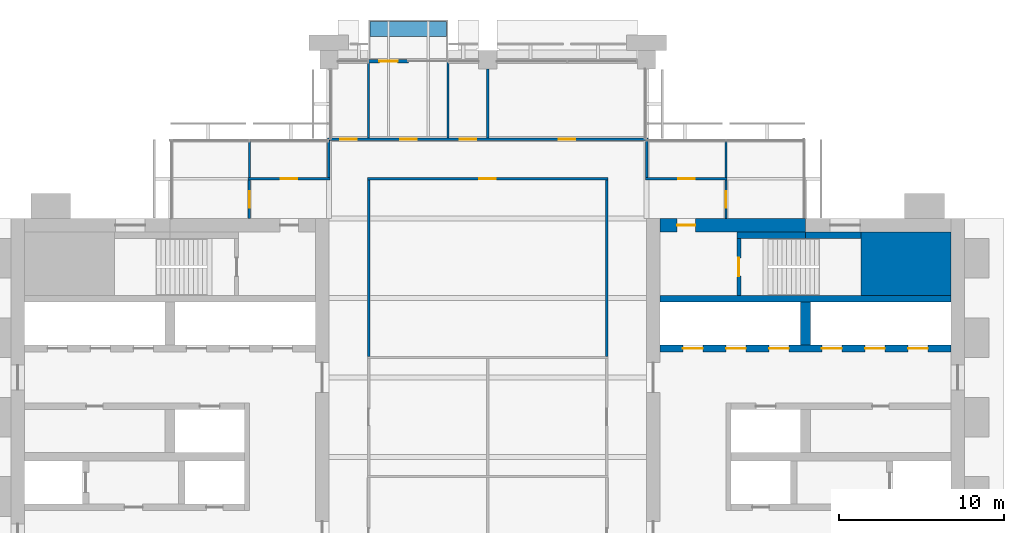
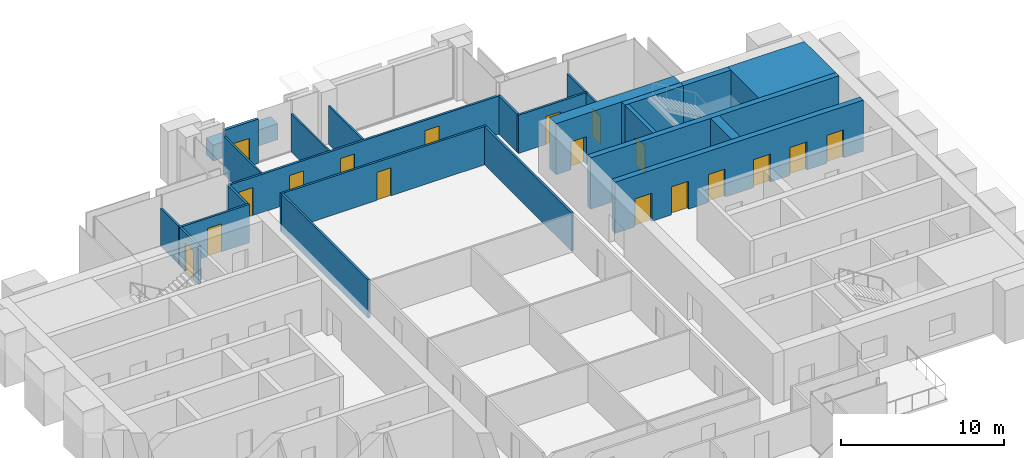
# One storey, part 11 of 14: 25 walls, 18 doors, 18 openings.
"""IFC4 building model written with IfcOpenShell, lengths in metres."""

import ifcopenshell
import ifcopenshell.guid

model = None  # the IFC model being written
_history = None  # IfcOwnerHistory: only IFC2X3 demands one
_inside = {}  # id of a spatial element -> (the spatial element, [elements in it])
_under = {}  # id of a project, library or spatial element -> (it, [spatial elements below it])
_declared = {}  # id of a project -> (the project, [libraries it declares])
_typed = {}  # id of a type object -> (the type object, [elements of that type])
_made_of = {}  # id of a material, layer set ... -> (it, [elements and type objects made of it])


def new_model(schema):
    """Start an empty IFC model of exactly this schema.

    Asked for "IFC4X3", IfcOpenShell would pick the latest addendum, in which some entities
    have other attributes; the version numbers below select the first issue.
    IFC2X3 requires an IfcOwnerHistory on every rooted entity: one is made here for all.
    """
    global model, _history
    if schema == "IFC4X3":
        model = ifcopenshell.file(schema_version=(4, 3, 0, 0))
    else:
        model = ifcopenshell.file(schema=schema)
    _inside.clear()
    _under.clear()
    _declared.clear()
    _typed.clear()
    _made_of.clear()
    _history = None
    if model.schema == "IFC2X3":
        org = make("IfcOrganization", Name="unknown")
        user = make(
            "IfcPersonAndOrganization",
            ThePerson=make("IfcPerson", FamilyName="unknown"),
            TheOrganization=org,
        )
        app = make(
            "IfcApplication",
            ApplicationDeveloper=org,
            Version="unknown",
            ApplicationFullName="unknown",
            ApplicationIdentifier="unknown",
        )
        _history = make(
            "IfcOwnerHistory",
            OwningUser=user,
            OwningApplication=app,
            ChangeAction="ADDED",
            CreationDate=0,
        )
    return model


def make(cls, **values):
    """One entity of the class cls with the attributes given. An attribute that is None is left unset."""
    return model.create_entity(
        cls, **{name: value for name, value in values.items() if value is not None}
    )


def rooted(cls, **values):
    """An entity with a GlobalId (a new one), such as an element, a storey or a relation."""
    return make(cls, GlobalId=ifcopenshell.guid.new(), OwnerHistory=_history, **values)


def si_unit(unit_type, name, prefix=None):
    """IfcSIUnit, for example si_unit("LENGTHUNIT", "METRE", prefix="MILLI")."""
    return make("IfcSIUnit", UnitType=unit_type, Prefix=prefix, Name=name)


def assignment(units):
    """IfcUnitAssignment: the units of a project."""
    return None if units is None else make("IfcUnitAssignment", Units=units)


def point(xyz):
    """IfcCartesianPoint."""
    return None if xyz is None else make("IfcCartesianPoint", Coordinates=xyz)


def direction(xyz):
    """IfcDirection."""
    return None if xyz is None else make("IfcDirection", DirectionRatios=xyz)


def frame(location, z_axis=None, x_axis=None):
    """IfcAxis2Placement3D, a coordinate frame: its origin and axes. An axis left out is left unset."""
    return make(
        "IfcAxis2Placement3D",
        Location=point(location),
        Axis=direction(z_axis),
        RefDirection=direction(x_axis),
    )


def frame_2d(location, x_axis=None):
    """IfcAxis2Placement2D, a coordinate frame in the plane: its origin and x axis."""
    return make(
        "IfcAxis2Placement2D", Location=point(location), RefDirection=direction(x_axis)
    )


def origin():
    """The frame at (0, 0, 0) with its axes left unset."""
    return frame((0.0, 0.0, 0.0))


def place(relative_to, where):
    """IfcLocalPlacement: puts the frame where relative to a parent placement (None: the world)."""
    return make(
        "IfcLocalPlacement", PlacementRelTo=relative_to, RelativePlacement=where
    )


def context(
    kind, dimensions, precision=None, world=None, true_north=None, identifier=None
):
    """IfcGeometricRepresentationContext, for example the 3D "Model" context."""
    return make(
        "IfcGeometricRepresentationContext",
        ContextIdentifier=identifier,
        ContextType=kind,
        CoordinateSpaceDimension=dimensions,
        Precision=precision,
        WorldCoordinateSystem=world,
        TrueNorth=true_north,
    )


def subcontext(parent, identifier, kind, view, scale=None):
    """IfcGeometricRepresentationSubContext, for example "Body" below "Model"."""
    return make(
        "IfcGeometricRepresentationSubContext",
        ContextIdentifier=identifier,
        ContextType=kind,
        ParentContext=parent,
        TargetScale=scale,
        TargetView=view,
    )


def project(units=None, contexts=None):
    """IfcProject with its units and contexts."""
    return rooted(
        "IfcProject",
        Name="project",
        RepresentationContexts=contexts,
        UnitsInContext=assignment(units),
    )


def spatial(cls, under=None, at=None, **own):
    """A site, building, storey or space (cls), placed at a placement, below another one or the project."""
    s = rooted(cls, ObjectPlacement=at, **own)
    if under is not None:
        _under.setdefault(under.id(), (under, []))[1].append(s)
    return s


def profile(cls, at=None, kind="AREA", **sizes):
    """A parametric profile (cls). Its sizes go by their IFC names, for example OverallWidth=200.0."""
    return make(cls, ProfileType=kind, Position=at, **sizes)


def rectangle(**sizes):
    """IfcRectangleProfileDef."""
    return profile("IfcRectangleProfileDef", **sizes)


def extrude(swept, where, along, depth):
    """IfcExtrudedAreaSolid: the profile swept, set in the frame where, extruded along a direction by depth."""
    return make(
        "IfcExtrudedAreaSolid",
        SweptArea=swept,
        Position=where,
        ExtrudedDirection=direction(along),
        Depth=depth,
    )


def shape(context_of_items, identifier, shape_type, items):
    """IfcShapeRepresentation: the items that make up one representation, for example the "Body"."""
    return make(
        "IfcShapeRepresentation",
        ContextOfItems=context_of_items,
        RepresentationIdentifier=identifier,
        RepresentationType=shape_type,
        Items=items,
    )


def material(Name=None, Category=None):
    """IfcMaterial."""
    return make("IfcMaterial", Name=Name, Category=Category)


def layer(
    of_material, thickness, ventilated=None, Name=None, Category=None, Priority=None
):
    """IfcMaterialLayer: one layer of a wall or slab, of a material (None: an air gap)."""
    return make(
        "IfcMaterialLayer",
        Material=of_material,
        LayerThickness=thickness,
        IsVentilated=ventilated,
        Name=Name,
        Category=Category,
        Priority=Priority,
    )


def layer_set(layers, Name=None):
    """IfcMaterialLayerSet."""
    return make("IfcMaterialLayerSet", MaterialLayers=layers, LayerSetName=Name)


def made_of(thing, what):
    """Note that an element or type object is made of a material, layer set ...; save() writes the relation."""
    if what is not None:
        _made_of.setdefault(what.id(), (what, []))[1].append(thing)
    return thing


def type_object(cls, material=None, **own):
    """A type object (cls), such as IfcWallType, which elements share."""
    return made_of(rooted(cls, **own), material)


def element(
    cls,
    number,
    at=None,
    inside=None,
    cuts=None,
    type_object=None,
    material=None,
    context=None,
    identifier="Body",
    shape_type=None,
    held_by="IfcProductDefinitionShape",
    body=None,
    shapes=None,
    **own,
):
    """One element of the class cls, such as IfcWall. Its Tag is "e" and its number.

    at: its placement. inside: the storey or other place that contains it. cuts: it is an
    opening in that element (IfcRelVoidsElement). A single representation is given by context,
    identifier, shape_type and body (its items); several are given by shapes. held_by: the class
    of the entity that holds the representations. save() writes the other relations.
    """
    e = rooted(cls, Tag="e%d" % number, ObjectPlacement=at, **own)
    if body is not None:
        shapes = [shape(context, identifier, shape_type, body)]
    if shapes is not None:
        e.Representation = make(held_by, Representations=shapes)
    if inside is not None:
        _inside.setdefault(inside.id(), (inside, []))[1].append(e)
    if cuts is not None:
        rooted(
            "IfcRelVoidsElement", RelatingBuildingElement=cuts, RelatedOpeningElement=e
        )
    if type_object is not None:
        _typed.setdefault(type_object.id(), (type_object, []))[1].append(e)
    return made_of(e, material)


def fill(opening, filler):
    """IfcRelFillsElement: the door or window that sits in an opening."""
    return rooted(
        "IfcRelFillsElement",
        RelatingOpeningElement=opening,
        RelatedBuildingElement=filler,
    )


def aggregate(whole, parts):
    """IfcRelAggregates: a whole, such as a stair, and the parts it consists of."""
    return rooted("IfcRelAggregates", RelatingObject=whole, RelatedObjects=parts)


def save(model, path):
    """Write the relations noted so far, then the file.

    IfcRelAggregates (storeys below a building ...), IfcRelContainedInSpatialStructure (elements
    in a storey), IfcRelDefinesByType, IfcRelAssociatesMaterial and IfcRelDeclares: one each for
    every whole, place, type object, material and project.
    """
    for whole, parts in _under.values():
        aggregate(whole, parts)
    for where, things in _inside.values():
        rooted(
            "IfcRelContainedInSpatialStructure",
            RelatedElements=things,
            RelatingStructure=where,
        )
    for kind, things in _typed.values():
        rooted("IfcRelDefinesByType", RelatedObjects=things, RelatingType=kind)
    for what, things in _made_of.values():
        rooted("IfcRelAssociatesMaterial", RelatedObjects=things, RelatingMaterial=what)
    for by, libraries in _declared.values():
        rooted("IfcRelDeclares", RelatingContext=by, RelatedDefinitions=libraries)
    model.write(path)


model = new_model("IFC4")

# Units and contexts
model_context = context("Model", 3, precision=1e-05, world=origin(), true_north=direction((0.0, 1.0)))
body_context = subcontext(model_context, "Body", "Model", "MODEL_VIEW")
ifc_project = project(units=[si_unit("LENGTHUNIT", "METRE"), si_unit("AREAUNIT", "SQUARE_METRE"), si_unit("VOLUMEUNIT", "CUBIC_METRE"), si_unit("PLANEANGLEUNIT", "RADIAN"), si_unit("MASSUNIT", "GRAM", prefix="KILO")], contexts=[model_context])

# Site, building, storey
site_placement = place(None, origin())
site = spatial("IfcSite", under=ifc_project, at=site_placement, CompositionType="ELEMENT")
building_placement = place(site_placement, origin())
building = spatial("IfcBuilding", under=site, at=building_placement, Name="Baori Bourse Tower", CompositionType="ELEMENT")
storey_placement = place(building_placement, frame((0.0, 0.0, 233.199951171875)))
storey = spatial("IfcBuildingStorey", under=building, at=storey_placement, Name="L51", CompositionType="ELEMENT", Elevation=233.199951171875)

# Wall
ifc_material_1 = material(Name="Concrete f'c 50 MPa", Category="concrete")
wall_type_1 = type_object("IfcWallType", Name="Core corner block f'c 50", PredefinedType="SHEAR", material=ifc_material_1)
wall_1_placement = place(storey_placement, frame((51.35009765625, 35.675048828125, 0.0), z_axis=(0.0, 0.0, 1.0), x_axis=(1.0, 0.0, 0.0)))
element("IfcWall", 1, at=wall_1_placement, inside=storey, type_object=wall_type_1, Name="Core wall E23", PredefinedType="SHEAR", context=body_context, shape_type="SweptSolid", body=[
    extrude(rectangle(XDim=5.449951171875, YDim=3.85009765625, at=frame_2d((2.72509765625, 0.0))), origin(), (0.0, 0.0, 1.0), 3.840087890625),
])

# Wall, opening, door
ifc_material_2 = material(Name="Concrete f'c 50 MPa", Category="concrete")
ifc_layer_1 = layer(ifc_material_2, 0.800048828125)
ifc_layer_set_1 = layer_set([ifc_layer_1], Name="Core wall 800 f'c 50")
wall_type_2 = type_object("IfcWallType", Name="Core wall 800 f'c 50", PredefinedType="SHEAR", material=ifc_layer_set_1)
wall_2_placement = place(storey_placement, frame((39.199951171875, 38.0, 0.0), z_axis=(0.0, 0.0, 1.0), x_axis=(1.0, 0.0, 0.0)))
wall_2 = element("IfcWall", 2, at=wall_2_placement, inside=storey, type_object=wall_type_2, Name="Core wall E28", PredefinedType="SHEAR", context=body_context, shape_type="SweptSolid", body=[
    extrude(rectangle(XDim=8.800048828125, YDim=0.800048828125, at=frame_2d((4.39990234375, 0.0))), origin(), (0.0, 0.0, 1.0), 3.840087890625),
])
opening_1_placement = place(wall_2_placement, frame((1.050048828125, 0.0, 0.0)))
opening_1 = element("IfcOpeningElement", 3, at=opening_1_placement, cuts=wall_2, Name="Opening L51-D204", PredefinedType="OPENING", context=body_context, shape_type="SweptSolid", body=[
    extrude(rectangle(XDim=1.10009765625, YDim=2.10009765625, at=frame_2d((0.550048828125, 1.050048828125))), frame((0.0, 0.409912109375, 0.0), z_axis=(0.0, -1.0, 0.0), x_axis=(1.0, 0.0, 0.0)), (0.0, 0.0, 1.0), 0.820068359375),
])
ifc_material_3 = material(Name="Painted steel door", Category="steel")
door_type_1 = type_object("IfcDoorType", Name="Stair door 1100", OperationType="SINGLE_SWING_LEFT", PredefinedType="DOOR", material=ifc_material_3)
door_1_placement = place(opening_1_placement, origin())
door_1 = element("IfcDoor", 4, at=door_1_placement, inside=storey, type_object=door_type_1, Name="Stair vestibule door B E L51", OperationType="SINGLE_SWING_LEFT", OverallHeight=2.10009765625, OverallWidth=1.10009765625, PredefinedType="DOOR", context=body_context, shape_type="SweptSolid", body=[
    extrude(rectangle(XDim=1.10009765625, YDim=2.10009765625, at=frame_2d((0.550048828125, 1.050048828125))), frame((0.0, 0.02490234375, 0.0), z_axis=(0.0, -1.0, 0.0), x_axis=(1.0, 0.0, 0.0)), (0.0, 0.0, 1.0), 0.050048828125),
])
fill(opening_1, door_1)

ifc_material_4 = material(Name="Gypsum board partition")
ifc_layer_2 = layer(ifc_material_4, 0.14990234375)
ifc_layer_set_2 = layer_set([ifc_layer_2], Name="Corridor partition 150")
wall_type_3 = type_object("IfcWallType", Name="Corridor partition 150", PredefinedType="PARTITIONING", material=ifc_layer_set_2)
wall_3_placement = place(storey_placement, frame((14.324951171875, 40.800048828125, 0.0), z_axis=(0.0, 0.0, 1.0), x_axis=(1.0, 0.0, 0.0)))
wall_3 = element("IfcWall", 5, at=wall_3_placement, inside=storey, type_object=wall_type_3, Name="Partition", PredefinedType="PARTITIONING", context=body_context, shape_type="SweptSolid", body=[
    extrude(rectangle(XDim=4.949951171875, YDim=0.14990234375, at=frame_2d((2.47509765625, 0.0))), origin(), (0.0, 0.0, 1.0), 2.869873046875),
])
opening_2_placement = place(wall_3_placement, frame((1.97509765625, 0.0, 0.0)))
opening_2 = element("IfcOpeningElement", 6, at=opening_2_placement, cuts=wall_3, Name="Opening L51-D09", PredefinedType="OPENING", context=body_context, shape_type="SweptSolid", body=[
    extrude(rectangle(XDim=1.0, YDim=2.10009765625, at=frame_2d((0.5, 1.050048828125))), frame((0.0, 0.0849609375, 0.0), z_axis=(0.0, -1.0, 0.0), x_axis=(1.0, 0.0, 0.0)), (0.0, 0.0, 1.0), 0.169921875),
])
ifc_material_5 = material(Name="Timber door leaf", Category="wood")
door_type_2 = type_object("IfcDoorType", Name="Door 1000 x 2100", OperationType="SINGLE_SWING_LEFT", PredefinedType="DOOR", material=ifc_material_5)
door_2_placement = place(opening_2_placement, origin())
door_2 = element("IfcDoor", 7, at=door_2_placement, inside=storey, type_object=door_type_2, Name="Door", OperationType="SINGLE_SWING_LEFT", OverallHeight=2.10009765625, OverallWidth=1.0, PredefinedType="DOOR", context=body_context, shape_type="SweptSolid", body=[
    extrude(rectangle(XDim=1.0, YDim=2.10009765625, at=frame_2d((0.5, 1.050048828125))), frame((0.0, 0.02490234375, 0.0), z_axis=(0.0, -1.0, 0.0), x_axis=(1.0, 0.0, 0.0)), (0.0, 0.0, 1.0), 0.050048828125),
])
fill(opening_2, door_2)

wall_4_placement = place(storey_placement, frame((21.52490234375, 40.800048828125, 0.0), z_axis=(0.0, 0.0, 1.0), x_axis=(1.0, 0.0, 0.0)))
wall_4 = element("IfcWall", 8, at=wall_4_placement, inside=storey, type_object=wall_type_3, Name="Partition", PredefinedType="PARTITIONING", context=body_context, shape_type="SweptSolid", body=[
    extrude(rectangle(XDim=14.550048828125, YDim=0.14990234375, at=frame_2d((7.27490234375, 0.0))), origin(), (0.0, 0.0, 1.0), 2.869873046875),
])
opening_3_placement = place(wall_4_placement, frame((6.77490234375, 0.0, 0.0)))
opening_3 = element("IfcOpeningElement", 9, at=opening_3_placement, cuts=wall_4, Name="Opening L51-D10", PredefinedType="OPENING", context=body_context, shape_type="SweptSolid", body=[
    extrude(rectangle(XDim=1.0, YDim=2.10009765625, at=frame_2d((0.5, 1.050048828125))), frame((0.0, 0.0849609375, 0.0), z_axis=(0.0, -1.0, 0.0), x_axis=(1.0, 0.0, 0.0)), (0.0, 0.0, 1.0), 0.169921875),
])
door_3_placement = place(opening_3_placement, origin())
door_3 = element("IfcDoor", 10, at=door_3_placement, inside=storey, type_object=door_type_2, Name="Door", OperationType="SINGLE_SWING_LEFT", OverallHeight=2.10009765625, OverallWidth=1.0, PredefinedType="DOOR", context=body_context, shape_type="SweptSolid", body=[
    extrude(rectangle(XDim=1.0, YDim=2.10009765625, at=frame_2d((0.5, 1.050048828125))), frame((0.0, 0.02490234375, 0.0), z_axis=(0.0, -1.0, 0.0), x_axis=(1.0, 0.0, 0.0)), (0.0, 0.0, 1.0), 0.050048828125),
])
fill(opening_3, door_3)

wall_5_placement = place(storey_placement, frame((38.324951171875, 40.800048828125, 0.0), z_axis=(0.0, 0.0, 1.0), x_axis=(1.0, 0.0, 0.0)))
wall_5 = element("IfcWall", 11, at=wall_5_placement, inside=storey, type_object=wall_type_3, Name="Partition", PredefinedType="PARTITIONING", context=body_context, shape_type="SweptSolid", body=[
    extrude(rectangle(XDim=4.949951171875, YDim=0.14990234375, at=frame_2d((2.47509765625, 0.0))), origin(), (0.0, 0.0, 1.0), 2.869873046875),
])
opening_4_placement = place(wall_5_placement, frame((1.97509765625, 0.0, 0.0)))
opening_4 = element("IfcOpeningElement", 12, at=opening_4_placement, cuts=wall_5, Name="Opening L51-D11", PredefinedType="OPENING", context=body_context, shape_type="SweptSolid", body=[
    extrude(rectangle(XDim=1.0, YDim=2.10009765625, at=frame_2d((0.5, 1.050048828125))), frame((0.0, 0.0849609375, 0.0), z_axis=(0.0, -1.0, 0.0), x_axis=(1.0, 0.0, 0.0)), (0.0, 0.0, 1.0), 0.169921875),
])
door_4_placement = place(opening_4_placement, origin())
door_4 = element("IfcDoor", 13, at=door_4_placement, inside=storey, type_object=door_type_2, Name="Door", OperationType="SINGLE_SWING_RIGHT", OverallHeight=2.10009765625, OverallWidth=1.0, PredefinedType="DOOR", context=body_context, shape_type="SweptSolid", body=[
    extrude(rectangle(XDim=1.0, YDim=2.10009765625, at=frame_2d((0.5, 1.050048828125))), frame((0.0, 0.02490234375, 0.0), z_axis=(0.0, -1.0, 0.0), x_axis=(1.0, 0.0, 0.0)), (0.0, 0.0, 1.0), 0.050048828125),
])
fill(opening_4, door_4)

# Wall, openings, doors
wall_6_placement = place(storey_placement, frame((19.125, 43.199951171875, 0.0), z_axis=(0.0, 0.0, 1.0), x_axis=(1.0, 0.0, 0.0)))
wall_6 = element("IfcWall", 14, at=wall_6_placement, inside=storey, type_object=wall_type_3, Name="Partition", PredefinedType="PARTITIONING", context=body_context, shape_type="SweptSolid", body=[
    extrude(rectangle(XDim=19.35009765625, YDim=0.14990234375, at=frame_2d((9.675048828125, 0.0))), origin(), (0.0, 0.0, 1.0), 2.869873046875),
])
opening_5_placement = place(wall_6_placement, frame((0.77490234375, 0.0, 0.0)))
opening_5 = element("IfcOpeningElement", 15, at=opening_5_placement, cuts=wall_6, Name="Opening L51-D12", PredefinedType="OPENING", context=body_context, shape_type="SweptSolid", body=[
    extrude(rectangle(XDim=1.0, YDim=2.10009765625, at=frame_2d((0.5, 1.050048828125))), frame((0.0, 0.0849609375, 0.0), z_axis=(0.0, -1.0, 0.0), x_axis=(1.0, 0.0, 0.0)), (0.0, 0.0, 1.0), 0.169921875),
])
opening_6_placement = place(wall_6_placement, frame((4.375, 0.0, 0.0)))
opening_6 = element("IfcOpeningElement", 16, at=opening_6_placement, cuts=wall_6, Name="Opening L51-D13", PredefinedType="OPENING", context=body_context, shape_type="SweptSolid", body=[
    extrude(rectangle(XDim=1.0, YDim=2.10009765625, at=frame_2d((0.5, 1.050048828125))), frame((0.0, 0.0849609375, 0.0), z_axis=(0.0, -1.0, 0.0), x_axis=(1.0, 0.0, 0.0)), (0.0, 0.0, 1.0), 0.169921875),
])
opening_7_placement = place(wall_6_placement, frame((7.97509765625, 0.0, 0.0)))
opening_7 = element("IfcOpeningElement", 17, at=opening_7_placement, cuts=wall_6, Name="Opening L51-D14", PredefinedType="OPENING", context=body_context, shape_type="SweptSolid", body=[
    extrude(rectangle(XDim=1.0, YDim=2.10009765625, at=frame_2d((0.5, 1.050048828125))), frame((0.0, 0.0849609375, 0.0), z_axis=(0.0, -1.0, 0.0), x_axis=(1.0, 0.0, 0.0)), (0.0, 0.0, 1.0), 0.169921875),
])
opening_8_placement = place(wall_6_placement, frame((13.97509765625, 0.0, 0.0)))
opening_8 = element("IfcOpeningElement", 18, at=opening_8_placement, cuts=wall_6, Name="Opening L51-D15", PredefinedType="OPENING", context=body_context, shape_type="SweptSolid", body=[
    extrude(rectangle(XDim=1.0, YDim=2.10009765625, at=frame_2d((0.5, 1.050048828125))), frame((0.0, 0.0849609375, 0.0), z_axis=(0.0, -1.0, 0.0), x_axis=(1.0, 0.0, 0.0)), (0.0, 0.0, 1.0), 0.169921875),
])
door_5_placement = place(opening_5_placement, origin())
door_5 = element("IfcDoor", 19, at=door_5_placement, inside=storey, type_object=door_type_2, Name="Door", OperationType="SINGLE_SWING_RIGHT", OverallHeight=2.10009765625, OverallWidth=1.0, PredefinedType="DOOR", context=body_context, shape_type="SweptSolid", body=[
    extrude(rectangle(XDim=1.0, YDim=2.10009765625, at=frame_2d((0.5, 1.050048828125))), frame((0.0, 0.02490234375, 0.0), z_axis=(0.0, -1.0, 0.0), x_axis=(1.0, 0.0, 0.0)), (0.0, 0.0, 1.0), 0.050048828125),
])
fill(opening_5, door_5)
door_6_placement = place(opening_6_placement, origin())
door_6 = element("IfcDoor", 20, at=door_6_placement, inside=storey, type_object=door_type_2, Name="Door", OperationType="SINGLE_SWING_RIGHT", OverallHeight=2.10009765625, OverallWidth=1.0, PredefinedType="DOOR", context=body_context, shape_type="SweptSolid", body=[
    extrude(rectangle(XDim=1.0, YDim=2.10009765625, at=frame_2d((0.5, 1.050048828125))), frame((0.0, 0.02490234375, 0.0), z_axis=(0.0, -1.0, 0.0), x_axis=(1.0, 0.0, 0.0)), (0.0, 0.0, 1.0), 0.050048828125),
])
fill(opening_6, door_6)
door_7_placement = place(opening_7_placement, origin())
door_7 = element("IfcDoor", 21, at=door_7_placement, inside=storey, type_object=door_type_2, Name="Door", OperationType="SINGLE_SWING_RIGHT", OverallHeight=2.10009765625, OverallWidth=1.0, PredefinedType="DOOR", context=body_context, shape_type="SweptSolid", body=[
    extrude(rectangle(XDim=1.0, YDim=2.10009765625, at=frame_2d((0.5, 1.050048828125))), frame((0.0, 0.02490234375, 0.0), z_axis=(0.0, -1.0, 0.0), x_axis=(1.0, 0.0, 0.0)), (0.0, 0.0, 1.0), 0.050048828125),
])
fill(opening_7, door_7)
door_8_placement = place(opening_8_placement, origin())
door_8 = element("IfcDoor", 22, at=door_8_placement, inside=storey, type_object=door_type_2, Name="Door", OperationType="SINGLE_SWING_LEFT", OverallHeight=2.10009765625, OverallWidth=1.0, PredefinedType="DOOR", context=body_context, shape_type="SweptSolid", body=[
    extrude(rectangle(XDim=1.0, YDim=2.10009765625, at=frame_2d((0.5, 1.050048828125))), frame((0.0, 0.02490234375, 0.0), z_axis=(0.0, -1.0, 0.0), x_axis=(1.0, 0.0, 0.0)), (0.0, 0.0, 1.0), 0.050048828125),
])
fill(opening_8, door_8)

# Wall, opening, door
wall_7_placement = place(storey_placement, frame((14.39990234375, 38.39990234375, 0.0), z_axis=(0.0, 0.0, 1.0), x_axis=(0.0, 1.0, 0.0)))
wall_7 = element("IfcWall", 23, at=wall_7_placement, inside=storey, type_object=wall_type_3, Name="Partition", PredefinedType="PARTITIONING", context=body_context, shape_type="SweptSolid", body=[
    extrude(rectangle(XDim=2.3251953125, YDim=0.14990234375, at=frame_2d((1.16259765625, 0.0))), origin(), (0.0, 0.0, 1.0), 2.869873046875),
])
opening_9_placement = place(wall_7_placement, frame((0.66259765625, 0.0, 0.0)))
opening_9 = element("IfcOpeningElement", 24, at=opening_9_placement, cuts=wall_7, Name="Opening L51-D16", PredefinedType="OPENING", context=body_context, shape_type="SweptSolid", body=[
    extrude(rectangle(XDim=1.0, YDim=2.10009765625, at=frame_2d((0.5, 1.050048828125))), frame((0.0, 0.0849609375, 0.0), z_axis=(0.0, -1.0, 0.0), x_axis=(1.0, 0.0, 0.0)), (0.0, 0.0, 1.0), 0.169921875),
])
door_9_placement = place(opening_9_placement, origin())
door_9 = element("IfcDoor", 25, at=door_9_placement, inside=storey, type_object=door_type_2, Name="Door", OperationType="SINGLE_SWING_RIGHT", OverallHeight=2.10009765625, OverallWidth=1.0, PredefinedType="DOOR", context=body_context, shape_type="SweptSolid", body=[
    extrude(rectangle(XDim=1.0, YDim=2.10009765625, at=frame_2d((0.5, 1.050048828125))), frame((0.0, 0.02490234375, 0.0), z_axis=(0.0, -1.0, 0.0), x_axis=(1.0, 0.0, 0.0)), (0.0, 0.0, 1.0), 0.050048828125),
])
fill(opening_9, door_9)

# Walls
wall_8_placement = place(storey_placement, frame((19.199951171875, 40.875, 0.0), z_axis=(0.0, 0.0, 1.0), x_axis=(0.0, 1.0, 0.0)))
element("IfcWall", 26, at=wall_8_placement, inside=storey, type_object=wall_type_3, Name="Partition", PredefinedType="PARTITIONING", context=body_context, shape_type="SweptSolid", body=[
    extrude(rectangle(XDim=2.25, YDim=0.14990234375, at=frame_2d((1.125, 0.0))), origin(), (0.0, 0.0, 1.0), 2.869873046875),
])
for number, where, z_axis, x_axis, name in (
    (27, (21.60009765625, 30.0625, 0.0), (0.0, 0.0, 1.0), (0.0, 1.0, 0.0), "Partition"),
    (28, (36.0, 30.0625, 0.0), (0.0, 0.0, 1.0), (0.0, 1.0, 0.0), "Partition"),
):
    element("IfcWall", number, at=place(storey_placement, frame(where, z_axis=z_axis, x_axis=x_axis)), inside=storey, type_object=wall_type_3, Name=name, PredefinedType="PARTITIONING", context=body_context, shape_type="SweptSolid", body=[
        extrude(rectangle(XDim=10.66259765625, YDim=0.14990234375, at=frame_2d((5.331298828125, 0.0))), origin(), (0.0, 0.0, 1.0), 2.869873046875),
    ])
wall_9_placement = place(storey_placement, frame((38.39990234375, 40.875, 0.0), z_axis=(0.0, 0.0, 1.0), x_axis=(0.0, 1.0, 0.0)))
element("IfcWall", 29, at=wall_9_placement, inside=storey, type_object=wall_type_3, Name="Partition", PredefinedType="PARTITIONING", context=body_context, shape_type="SweptSolid", body=[
    extrude(rectangle(XDim=2.25, YDim=0.14990234375, at=frame_2d((1.125, 0.0))), origin(), (0.0, 0.0, 1.0), 2.869873046875),
])

# Wall, opening, door
wall_10_placement = place(storey_placement, frame((43.199951171875, 38.39990234375, 0.0), z_axis=(0.0, 0.0, 1.0), x_axis=(0.0, 1.0, 0.0)))
wall_10 = element("IfcWall", 30, at=wall_10_placement, inside=storey, type_object=wall_type_3, Name="Partition", PredefinedType="PARTITIONING", context=body_context, shape_type="SweptSolid", body=[
    extrude(rectangle(XDim=2.3251953125, YDim=0.14990234375, at=frame_2d((1.16259765625, 0.0))), origin(), (0.0, 0.0, 1.0), 2.869873046875),
])
opening_10_placement = place(wall_10_placement, frame((0.66259765625, 0.0, 0.0)))
opening_10 = element("IfcOpeningElement", 31, at=opening_10_placement, cuts=wall_10, Name="Opening L51-D23", PredefinedType="OPENING", context=body_context, shape_type="SweptSolid", body=[
    extrude(rectangle(XDim=1.0, YDim=2.10009765625, at=frame_2d((0.5, 1.050048828125))), frame((0.0, 0.0849609375, 0.0), z_axis=(0.0, -1.0, 0.0), x_axis=(1.0, 0.0, 0.0)), (0.0, 0.0, 1.0), 0.169921875),
])
door_10_placement = place(opening_10_placement, origin())
door_10 = element("IfcDoor", 32, at=door_10_placement, inside=storey, type_object=door_type_2, Name="Door", OperationType="SINGLE_SWING_LEFT", OverallHeight=2.10009765625, OverallWidth=1.0, PredefinedType="DOOR", context=body_context, shape_type="SweptSolid", body=[
    extrude(rectangle(XDim=1.0, YDim=2.10009765625, at=frame_2d((0.5, 1.050048828125))), frame((0.0, 0.02490234375, 0.0), z_axis=(0.0, -1.0, 0.0), x_axis=(1.0, 0.0, 0.0)), (0.0, 0.0, 1.0), 0.050048828125),
])
fill(opening_10, door_10)

ifc_material_6 = material(Name="Pale anodised aluminium", Category="aluminium")
ifc_layer_3 = layer(ifc_material_6, 0.199951171875)
ifc_layer_set_3 = layer_set([ifc_layer_3], Name="EW1 External wall bay")
wall_type_4 = type_object("IfcWallType", Name="EW1 External wall bay", PredefinedType="SOLIDWALL", material=ifc_layer_set_3)
wall_11_placement = place(storey_placement, frame((24.0, 47.89990234375, 0.0), z_axis=(0.0, 0.0, 1.0), x_axis=(-1.0, 0.0, 0.0)))
wall_11 = element("IfcWall", 33, at=wall_11_placement, inside=storey, type_object=wall_type_4, Name="External wall bay L51 1", PredefinedType="SOLIDWALL", context=body_context, shape_type="SweptSolid", body=[
    extrude(rectangle(XDim=2.39990234375, YDim=0.199951171875, at=frame_2d((1.199951171875, 0.0))), origin(), (0.0, 0.0, 1.0), 3.314208984375),
])
opening_11_placement = place(wall_11_placement, frame((0.64990234375, 0.0, 0.0)))
opening_11 = element("IfcOpeningElement", 34, at=opening_11_placement, cuts=wall_11, Name="Opening L51-D91", PredefinedType="OPENING", context=body_context, shape_type="SweptSolid", body=[
    extrude(rectangle(XDim=1.10009765625, YDim=2.10009765625, at=frame_2d((0.550048828125, 1.050048828125))), frame((0.0, 0.10986328125, 0.0), z_axis=(0.0, -1.0, 0.0), x_axis=(1.0, 0.0, 0.0)), (0.0, 0.0, 1.0), 0.219970703125),
])
ifc_material_7 = material(Name="Pale anodised aluminium", Category="aluminium")
door_type_3 = type_object("IfcDoorType", Name="BL1 Balcony door", OperationType="SINGLE_SWING_LEFT", PredefinedType="DOOR", material=ifc_material_7)
door_11_placement = place(opening_11_placement, origin())
door_11 = element("IfcDoor", 35, at=door_11_placement, inside=storey, type_object=door_type_3, Name="Balcony door L51 1", OperationType="SINGLE_SWING_LEFT", OverallHeight=2.10009765625, OverallWidth=1.10009765625, PredefinedType="DOOR", context=body_context, shape_type="SweptSolid", body=[
    extrude(rectangle(XDim=1.10009765625, YDim=2.10009765625, at=frame_2d((0.550048828125, 1.050048828125))), frame((0.0, 0.02490234375, 0.0), z_axis=(0.0, -1.0, 0.0), x_axis=(1.0, 0.0, 0.0)), (0.0, 0.0, 1.0), 0.050048828125),
])
fill(opening_11, door_11)

# Walls
ifc_material_8 = material(Name="Concrete f'c 40 MPa", Category="concrete")
ifc_layer_4 = layer(ifc_material_8, 0.89990234375)
ifc_layer_set_4 = layer_set([ifc_layer_4], Name="PW1 Planter wall")
wall_type_5 = type_object("IfcWallType", Name="PW1 Planter wall", PredefinedType="USERDEFINED", material=ifc_layer_set_4)
wall_12_placement = place(storey_placement, frame((21.699951171875, 49.85009765625, 0.0), z_axis=(0.0, 0.0, 1.0), x_axis=(1.0, 0.0, 0.0)))
element("IfcWall", 36, at=wall_12_placement, inside=storey, type_object=wall_type_5, Name="Planter balcony N L51 2", ObjectType="PLANTER", PredefinedType="USERDEFINED", context=body_context, shape_type="SweptSolid", body=[
    extrude(rectangle(XDim=4.60009765625, YDim=0.89990234375, at=frame_2d((2.300048828125, 0.0))), origin(), (0.0, 0.0, 1.0), 1.199951171875),
])
ifc_material_9 = material(Name="Gypsum board partition")
ifc_layer_5 = layer(ifc_material_9, 0.125)
ifc_layer_set_5 = layer_set([ifc_layer_5], Name="Partition 125")
wall_type_6 = type_object("IfcWallType", Name="Partition 125", PredefinedType="PARTITIONING", material=ifc_layer_set_5)
wall_13_placement = place(storey_placement, frame((14.39990234375, 40.875, 0.0), z_axis=(0.0, 0.0, 1.0), x_axis=(0.0, 1.0, 0.0)))
element("IfcWall", 37, at=wall_13_placement, inside=storey, type_object=wall_type_6, Name="Partition", PredefinedType="PARTITIONING", context=body_context, shape_type="SweptSolid", body=[
    extrude(rectangle(XDim=2.22509765625, YDim=0.125, at=frame_2d((1.112548828125, 0.0))), origin(), (0.0, 0.0, 1.0), 2.869873046875),
])
for number, where, z_axis, x_axis, name in (
    (38, (21.60009765625, 43.27490234375, 0.0), (0.0, 0.0, 1.0), (0.0, 1.0, 0.0), "Partition"),
    (39, (26.39990234375, 43.27490234375, 0.0), (0.0, 0.0, 1.0), (0.0, 1.0, 0.0), "Partition"),
):
    element("IfcWall", number, at=place(storey_placement, frame(where, z_axis=z_axis, x_axis=x_axis)), inside=storey, type_object=wall_type_6, Name=name, PredefinedType="PARTITIONING", context=body_context, shape_type="SweptSolid", body=[
        extrude(rectangle(XDim=4.625, YDim=0.125, at=frame_2d((2.3125, 0.0))), origin(), (0.0, 0.0, 1.0), 2.869873046875),
    ])
wall_14_placement = place(storey_placement, frame((28.800048828125, 43.27490234375, 0.0), z_axis=(0.0, 0.0, 1.0), x_axis=(0.0, 1.0, 0.0)))
element("IfcWall", 40, at=wall_14_placement, inside=storey, type_object=wall_type_6, Name="Partition", PredefinedType="PARTITIONING", context=body_context, shape_type="SweptSolid", body=[
    extrude(rectangle(XDim=4.175048828125, YDim=0.125, at=frame_2d((2.08740234375, 0.0))), origin(), (0.0, 0.0, 1.0), 2.869873046875),
])
wall_15_placement = place(storey_placement, frame((43.199951171875, 40.875, 0.0), z_axis=(0.0, 0.0, 1.0), x_axis=(0.0, 1.0, 0.0)))
element("IfcWall", 41, at=wall_15_placement, inside=storey, type_object=wall_type_6, Name="Partition", PredefinedType="PARTITIONING", context=body_context, shape_type="SweptSolid", body=[
    extrude(rectangle(XDim=2.22509765625, YDim=0.125, at=frame_2d((1.112548828125, 0.0))), origin(), (0.0, 0.0, 1.0), 2.869873046875),
])

# Wall, opening, door
ifc_material_10 = material(Name="Concrete f'c 50 MPa", Category="concrete")
ifc_layer_6 = layer(ifc_material_10, 0.25)
ifc_layer_set_6 = layer_set([ifc_layer_6], Name="Shaft wall 250 f'c 50")
wall_type_7 = type_object("IfcWallType", Name="Shaft wall 250 f'c 50", PredefinedType="SHEAR", material=ifc_layer_set_6)
wall_16_placement = place(storey_placement, frame((43.97509765625, 33.75, 0.0), z_axis=(0.0, 0.0, 1.0), x_axis=(0.0, 1.0, 0.0)))
wall_16 = element("IfcWall", 42, at=wall_16_placement, inside=storey, type_object=wall_type_7, Name="Core wall E24", PredefinedType="SHEAR", context=body_context, shape_type="SweptSolid", body=[
    extrude(rectangle(XDim=3.449951171875, YDim=0.25, at=frame_2d((1.72509765625, 0.0))), origin(), (0.0, 0.0, 1.0), 3.840087890625),
])
opening_12_placement = place(wall_16_placement, frame((1.175048828125, 0.0, 0.0)))
opening_12 = element("IfcOpeningElement", 43, at=opening_12_placement, cuts=wall_16, Name="Opening L51-D203", PredefinedType="OPENING", context=body_context, shape_type="SweptSolid", body=[
    extrude(rectangle(XDim=1.10009765625, YDim=2.10009765625, at=frame_2d((0.550048828125, 1.050048828125))), frame((0.0, 0.135009765625, 0.0), z_axis=(0.0, -1.0, 0.0), x_axis=(1.0, 0.0, 0.0)), (0.0, 0.0, 1.0), 0.27001953125),
])
door_12_placement = place(opening_12_placement, origin())
door_12 = element("IfcDoor", 44, at=door_12_placement, inside=storey, type_object=door_type_1, Name="Stair door B E L51", OperationType="SINGLE_SWING_LEFT", OverallHeight=2.10009765625, OverallWidth=1.10009765625, PredefinedType="DOOR", context=body_context, shape_type="SweptSolid", body=[
    extrude(rectangle(XDim=1.10009765625, YDim=2.10009765625, at=frame_2d((0.550048828125, 1.050048828125))), frame((0.0, 0.02490234375, 0.0), z_axis=(0.0, -1.0, 0.0), x_axis=(1.0, 0.0, 0.0)), (0.0, 0.0, 1.0), 0.050048828125),
])
fill(opening_12, door_12)

# Wall, openings, doors
ifc_material_11 = material(Name="Concrete f'c 50 MPa", Category="concrete")
ifc_layer_7 = layer(ifc_material_11, 0.39990234375)
ifc_layer_set_7 = layer_set([ifc_layer_7], Name="Shaft wall 400 f'c 50")
wall_type_8 = type_object("IfcWallType", Name="Shaft wall 400 f'c 50", PredefinedType="SHEAR", material=ifc_layer_set_7)
wall_17_placement = place(storey_placement, frame((39.199951171875, 30.550048828125, 0.0), z_axis=(0.0, 0.0, 1.0), x_axis=(1.0, 0.0, 0.0)))
wall_17 = element("IfcWall", 45, at=wall_17_placement, inside=storey, type_object=wall_type_8, Name="Core wall E20", PredefinedType="SHEAR", context=body_context, shape_type="SweptSolid", body=[
    extrude(rectangle(XDim=17.60009765625, YDim=0.39990234375, at=frame_2d((8.800048828125, 0.0))), origin(), (0.0, 0.0, 1.0), 3.840087890625),
])
opening_13_placement = place(wall_17_placement, frame((15.0, 0.0, 0.0)))
opening_13 = element("IfcOpeningElement", 46, at=opening_13_placement, cuts=wall_17, Name="Opening L51-D214", PredefinedType="OPENING", context=body_context, shape_type="SweptSolid", body=[
    extrude(rectangle(XDim=1.199951171875, YDim=2.10009765625, at=frame_2d((0.60009765625, 1.050048828125))), frame((0.0, 0.2099609375, 0.0), z_axis=(0.0, -1.0, 0.0), x_axis=(1.0, 0.0, 0.0)), (0.0, 0.0, 1.0), 0.419921875),
])
opening_14_placement = place(wall_17_placement, frame((12.39990234375, 0.0, 0.0)))
opening_14 = element("IfcOpeningElement", 47, at=opening_14_placement, cuts=wall_17, Name="Opening L51-D215", PredefinedType="OPENING", context=body_context, shape_type="SweptSolid", body=[
    extrude(rectangle(XDim=1.199951171875, YDim=2.10009765625, at=frame_2d((0.60009765625, 1.050048828125))), frame((0.0, 0.2099609375, 0.0), z_axis=(0.0, -1.0, 0.0), x_axis=(1.0, 0.0, 0.0)), (0.0, 0.0, 1.0), 0.419921875),
])
opening_15_placement = place(wall_17_placement, frame((9.800048828125, 0.0, 0.0)))
opening_15 = element("IfcOpeningElement", 48, at=opening_15_placement, cuts=wall_17, Name="Opening L51-D216", PredefinedType="OPENING", context=body_context, shape_type="SweptSolid", body=[
    extrude(rectangle(XDim=1.199951171875, YDim=2.10009765625, at=frame_2d((0.60009765625, 1.050048828125))), frame((0.0, 0.2099609375, 0.0), z_axis=(0.0, -1.0, 0.0), x_axis=(1.0, 0.0, 0.0)), (0.0, 0.0, 1.0), 0.419921875),
])
opening_16_placement = place(wall_17_placement, frame((6.60009765625, 0.0, 0.0)))
opening_16 = element("IfcOpeningElement", 49, at=opening_16_placement, cuts=wall_17, Name="Opening L51-D217", PredefinedType="OPENING", context=body_context, shape_type="SweptSolid", body=[
    extrude(rectangle(XDim=1.199951171875, YDim=2.10009765625, at=frame_2d((0.60009765625, 1.050048828125))), frame((0.0, 0.2099609375, 0.0), z_axis=(0.0, -1.0, 0.0), x_axis=(1.0, 0.0, 0.0)), (0.0, 0.0, 1.0), 0.419921875),
])
opening_17_placement = place(wall_17_placement, frame((4.0, 0.0, 0.0)))
opening_17 = element("IfcOpeningElement", 50, at=opening_17_placement, cuts=wall_17, Name="Opening L51-D218", PredefinedType="OPENING", context=body_context, shape_type="SweptSolid", body=[
    extrude(rectangle(XDim=1.199951171875, YDim=2.10009765625, at=frame_2d((0.60009765625, 1.050048828125))), frame((0.0, 0.2099609375, 0.0), z_axis=(0.0, -1.0, 0.0), x_axis=(1.0, 0.0, 0.0)), (0.0, 0.0, 1.0), 0.419921875),
])
opening_18_placement = place(wall_17_placement, frame((1.39990234375, 0.0, 0.0)))
opening_18 = element("IfcOpeningElement", 51, at=opening_18_placement, cuts=wall_17, Name="Opening L51-D219", PredefinedType="OPENING", context=body_context, shape_type="SweptSolid", body=[
    extrude(rectangle(XDim=1.199951171875, YDim=2.10009765625, at=frame_2d((0.60009765625, 1.050048828125))), frame((0.0, 0.2099609375, 0.0), z_axis=(0.0, -1.0, 0.0), x_axis=(1.0, 0.0, 0.0)), (0.0, 0.0, 1.0), 0.419921875),
])
ifc_material_12 = material(Name="Stainless steel door", Category="steel")
door_type_4 = type_object("IfcDoorType", Name="Lift landing door", OperationType="DOUBLE_DOOR_SLIDING", PredefinedType="DOOR", material=ifc_material_12)
door_13_placement = place(opening_13_placement, origin())
door_13 = element("IfcDoor", 52, at=door_13_placement, inside=storey, type_object=door_type_4, Name="Lift landing door HR1 E L51", OperationType="DOUBLE_DOOR_SLIDING", OverallHeight=2.10009765625, OverallWidth=1.199951171875, PredefinedType="DOOR", context=body_context, shape_type="SweptSolid", body=[
    extrude(rectangle(XDim=1.199951171875, YDim=2.10009765625, at=frame_2d((0.60009765625, 1.050048828125))), frame((0.0, 0.02490234375, 0.0), z_axis=(0.0, -1.0, 0.0), x_axis=(1.0, 0.0, 0.0)), (0.0, 0.0, 1.0), 0.050048828125),
])
fill(opening_13, door_13)
door_14_placement = place(opening_14_placement, origin())
door_14 = element("IfcDoor", 53, at=door_14_placement, inside=storey, type_object=door_type_4, Name="Lift landing door HR2 E L51", OperationType="DOUBLE_DOOR_SLIDING", OverallHeight=2.10009765625, OverallWidth=1.199951171875, PredefinedType="DOOR", context=body_context, shape_type="SweptSolid", body=[
    extrude(rectangle(XDim=1.199951171875, YDim=2.10009765625, at=frame_2d((0.60009765625, 1.050048828125))), frame((0.0, 0.02490234375, 0.0), z_axis=(0.0, -1.0, 0.0), x_axis=(1.0, 0.0, 0.0)), (0.0, 0.0, 1.0), 0.050048828125),
])
fill(opening_14, door_14)
door_15_placement = place(opening_15_placement, origin())
door_15 = element("IfcDoor", 54, at=door_15_placement, inside=storey, type_object=door_type_4, Name="Lift landing door HR3 E L51", OperationType="DOUBLE_DOOR_SLIDING", OverallHeight=2.10009765625, OverallWidth=1.199951171875, PredefinedType="DOOR", context=body_context, shape_type="SweptSolid", body=[
    extrude(rectangle(XDim=1.199951171875, YDim=2.10009765625, at=frame_2d((0.60009765625, 1.050048828125))), frame((0.0, 0.02490234375, 0.0), z_axis=(0.0, -1.0, 0.0), x_axis=(1.0, 0.0, 0.0)), (0.0, 0.0, 1.0), 0.050048828125),
])
fill(opening_15, door_15)
door_16_placement = place(opening_16_placement, origin())
door_16 = element("IfcDoor", 55, at=door_16_placement, inside=storey, type_object=door_type_4, Name="Lift landing door HR4 E L51", OperationType="DOUBLE_DOOR_SLIDING", OverallHeight=2.10009765625, OverallWidth=1.199951171875, PredefinedType="DOOR", context=body_context, shape_type="SweptSolid", body=[
    extrude(rectangle(XDim=1.199951171875, YDim=2.10009765625, at=frame_2d((0.60009765625, 1.050048828125))), frame((0.0, 0.02490234375, 0.0), z_axis=(0.0, -1.0, 0.0), x_axis=(1.0, 0.0, 0.0)), (0.0, 0.0, 1.0), 0.050048828125),
])
fill(opening_16, door_16)
door_17_placement = place(opening_17_placement, origin())
door_17 = element("IfcDoor", 56, at=door_17_placement, inside=storey, type_object=door_type_4, Name="Lift landing door HR5 E L51", OperationType="DOUBLE_DOOR_SLIDING", OverallHeight=2.10009765625, OverallWidth=1.199951171875, PredefinedType="DOOR", context=body_context, shape_type="SweptSolid", body=[
    extrude(rectangle(XDim=1.199951171875, YDim=2.10009765625, at=frame_2d((0.60009765625, 1.050048828125))), frame((0.0, 0.02490234375, 0.0), z_axis=(0.0, -1.0, 0.0), x_axis=(1.0, 0.0, 0.0)), (0.0, 0.0, 1.0), 0.050048828125),
])
fill(opening_17, door_17)
door_18_placement = place(opening_18_placement, origin())
door_18 = element("IfcDoor", 57, at=door_18_placement, inside=storey, type_object=door_type_4, Name="Lift landing door HR6 E L51", OperationType="DOUBLE_DOOR_SLIDING", OverallHeight=2.10009765625, OverallWidth=1.199951171875, PredefinedType="DOOR", context=body_context, shape_type="SweptSolid", body=[
    extrude(rectangle(XDim=1.199951171875, YDim=2.10009765625, at=frame_2d((0.60009765625, 1.050048828125))), frame((0.0, 0.02490234375, 0.0), z_axis=(0.0, -1.0, 0.0), x_axis=(1.0, 0.0, 0.0)), (0.0, 0.0, 1.0), 0.050048828125),
])
fill(opening_18, door_18)

# Walls
wall_18_placement = place(storey_placement, frame((39.199951171875, 33.550048828125, 0.0), z_axis=(0.0, 0.0, 1.0), x_axis=(1.0, 0.0, 0.0)))
element("IfcWall", 58, at=wall_18_placement, inside=storey, type_object=wall_type_8, Name="Core wall E22", PredefinedType="SHEAR", context=body_context, shape_type="SweptSolid", body=[
    extrude(rectangle(XDim=17.60009765625, YDim=0.39990234375, at=frame_2d((8.800048828125, 0.0))), origin(), (0.0, 0.0, 1.0), 3.840087890625),
])
wall_19_placement = place(storey_placement, frame((48.0, 37.39990234375, 0.0), z_axis=(0.0, 0.0, 1.0), x_axis=(1.0, 0.0, 0.0)))
element("IfcWall", 59, at=wall_19_placement, inside=storey, type_object=wall_type_8, Name="Core wall E25", PredefinedType="SHEAR", context=body_context, shape_type="SweptSolid", body=[
    extrude(rectangle(XDim=3.35009765625, YDim=0.39990234375, at=frame_2d((1.675048828125, 0.0))), origin(), (0.0, 0.0, 1.0), 3.840087890625),
])
wall_20_placement = place(storey_placement, frame((43.85009765625, 37.39990234375, 0.0), z_axis=(0.0, 0.0, 1.0), x_axis=(1.0, 0.0, 0.0)))
element("IfcWall", 60, at=wall_20_placement, inside=storey, type_object=wall_type_8, Name="Core wall E26", PredefinedType="SHEAR", context=body_context, shape_type="SweptSolid", body=[
    extrude(rectangle(XDim=4.14990234375, YDim=0.39990234375, at=frame_2d((2.074951171875, 0.0))), origin(), (0.0, 0.0, 1.0), 3.840087890625),
])
ifc_material_13 = material(Name="Concrete f'c 50 MPa", Category="concrete")
ifc_layer_8 = layer(ifc_material_13, 0.60009765625)
ifc_layer_set_8 = layer_set([ifc_layer_8], Name="Shaft wall 600 f'c 50")
wall_type_9 = type_object("IfcWallType", Name="Shaft wall 600 f'c 50", PredefinedType="SHEAR", material=ifc_layer_set_8)
wall_21_placement = place(storey_placement, frame((48.0, 30.75, 0.0), z_axis=(0.0, 0.0, 1.0), x_axis=(0.0, 1.0, 0.0)))
element("IfcWall", 61, at=wall_21_placement, inside=storey, type_object=wall_type_9, Name="Core wall E21", PredefinedType="SHEAR", context=body_context, shape_type="SweptSolid", body=[
    extrude(rectangle(XDim=2.60009765625, YDim=0.60009765625, at=frame_2d((1.300048828125, 0.0))), origin(), (0.0, 0.0, 1.0), 3.840087890625),
])

save(model, "model.ifc")
